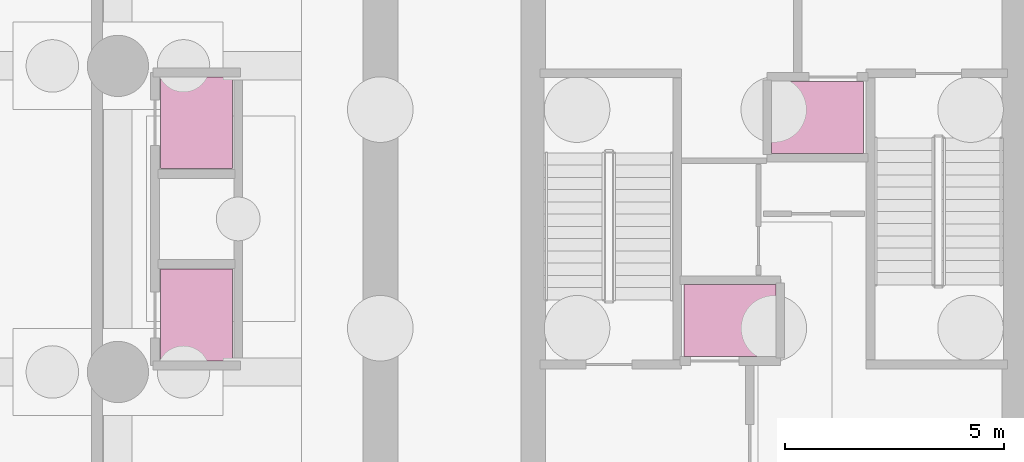
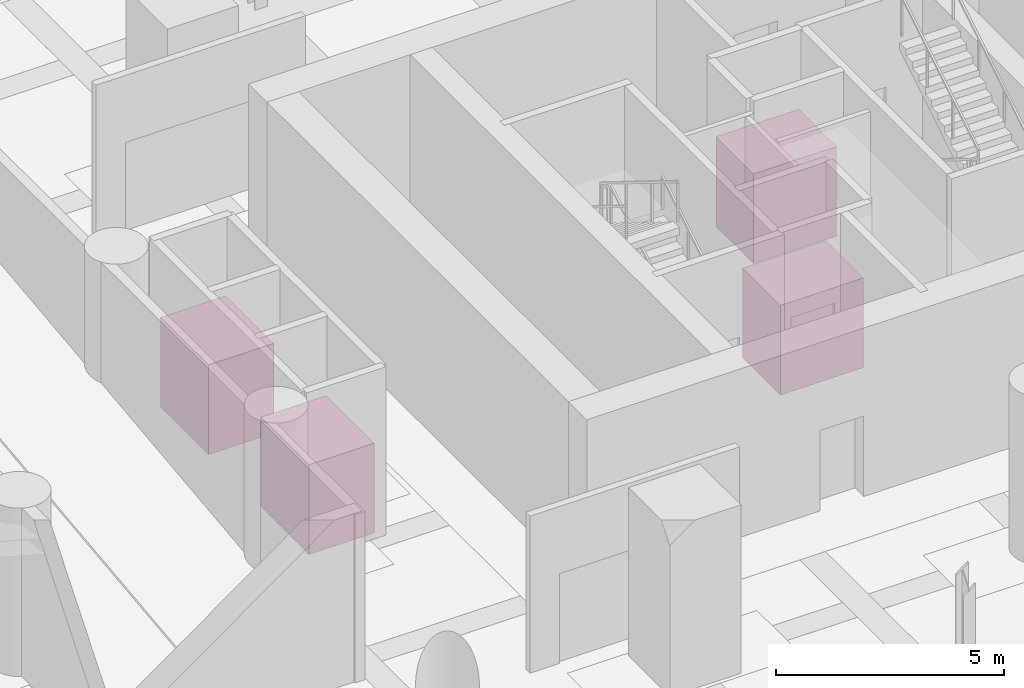
# One storey, part 12 of 12: 4 transport elements.
"""IFC4 building model written with IfcOpenShell, lengths in metres."""

from ifc_helpers import new_model, si_unit, direction, frame, origin, origin_2d, place, context, subcontext, project, spatial, rectangle, extrude, material, type_object, element, save


model = new_model("IFC4")

# Units and contexts
model_context = context("Model", 3, precision=1e-05, world=origin(), true_north=direction((0.0, 1.0)))
body_context = subcontext(model_context, "Body", "Model", "MODEL_VIEW")
ifc_project = project(units=[si_unit("LENGTHUNIT", "METRE"), si_unit("AREAUNIT", "SQUARE_METRE"), si_unit("VOLUMEUNIT", "CUBIC_METRE"), si_unit("PLANEANGLEUNIT", "RADIAN"), si_unit("MASSUNIT", "GRAM", prefix="KILO")], contexts=[model_context])

# Site, building, storey
site_placement = place(None, origin())
site = spatial("IfcSite", under=ifc_project, at=site_placement, CompositionType="ELEMENT")
building_placement = place(site_placement, origin())
building = spatial("IfcBuilding", under=site, at=building_placement, Name="Veldorim Arch Residences", CompositionType="ELEMENT")
storey_placement = place(building_placement, frame((0.0, 0.0, -9.0)))
storey = spatial("IfcBuildingStorey", under=building, at=storey_placement, Name="B2", CompositionType="ELEMENT", Elevation=-9.0)

# Transport elements
ifc_material_1 = material(Name="Stainless Steel", Category="steel")
transport_element_type_1 = type_object("IfcTransportElementType", Name="Polyclinic Bed & Wheelchair Lift Car 2100x1650", PredefinedType="ELEVATOR", material=ifc_material_1)
for number, where, z_axis, x_axis, name in (
    (1, (18.800048828125, 21.800048828125, 0.0), (0.0, 0.0, 1.0), (0.0, 1.0, 0.0), "Elevator Car CL-01"),
    (2, (18.800048828125, 26.199951171875, 0.0), (0.0, 0.0, 1.0), (0.0, 1.0, 0.0), "Elevator Car CL-02"),
):
    element("IfcTransportElement", number, at=place(storey_placement, frame(where, z_axis=z_axis, x_axis=x_axis)), inside=storey, type_object=transport_element_type_1, Name=name, PredefinedType="ELEVATOR", context=body_context, shape_type="SweptSolid", body=[
        extrude(rectangle(XDim=2.10009765625, YDim=1.64990234375, at=origin_2d()), origin(), (0.0, 0.0, 1.0), 2.39990234375),
    ])
ifc_material_2 = material(Name="Stainless Steel", Category="steel")
transport_element_type_2 = type_object("IfcTransportElementType", Name="SCDF Firefighting & Stretcher Lift Car 2100x1650", PredefinedType="ELEVATOR", material=ifc_material_2)
for number, where, z_axis, x_axis, name in (
    (3, (31.0, 21.679931640625, 0.0), (0.0, 0.0, 1.0), (1.0, 0.0, 0.0), "Elevator Car FL-01"),
    (4, (33.0, 26.320068359375, 0.0), (0.0, 0.0, 1.0), (1.0, 0.0, 0.0), "Elevator Car FL-02"),
):
    element("IfcTransportElement", number, at=place(storey_placement, frame(where, z_axis=z_axis, x_axis=x_axis)), inside=storey, type_object=transport_element_type_2, Name=name, PredefinedType="ELEVATOR", context=body_context, shape_type="SweptSolid", body=[
        extrude(rectangle(XDim=2.10009765625, YDim=1.64990234375, at=origin_2d()), origin(), (0.0, 0.0, 1.0), 2.39990234375),
    ])

save(model, "model.ifc")
